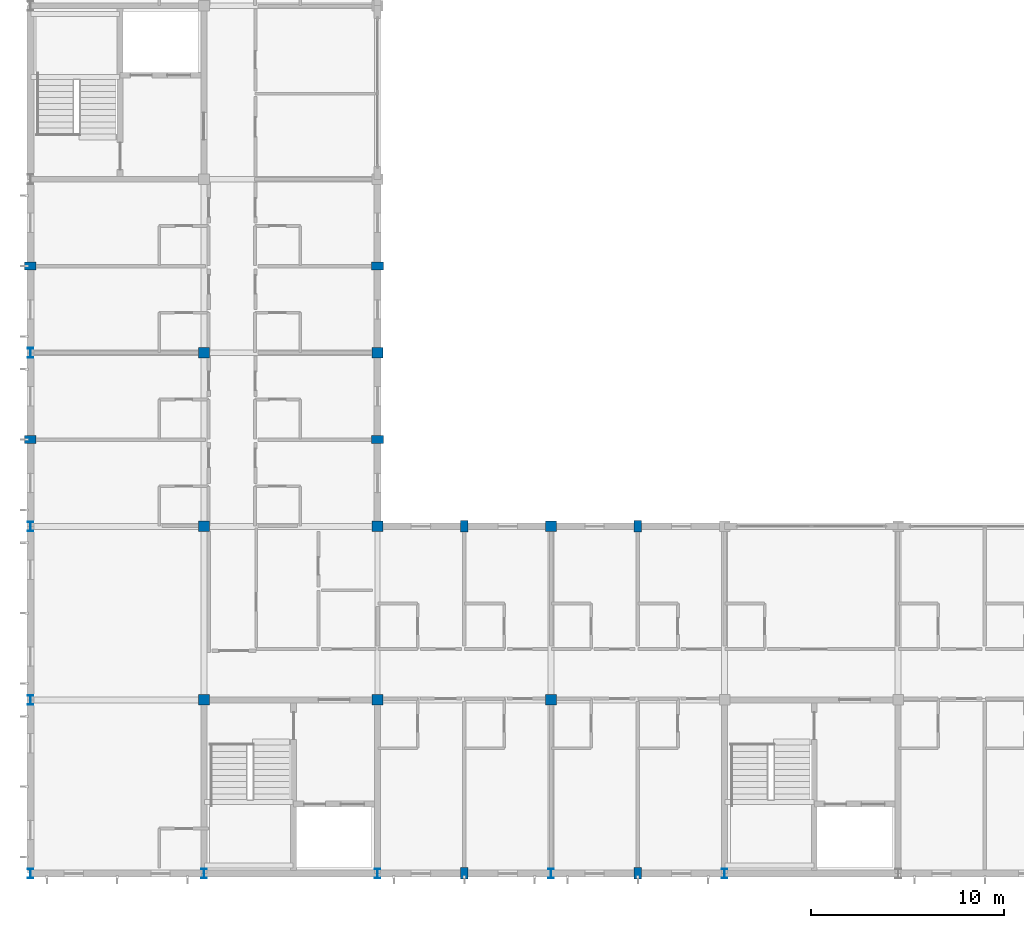
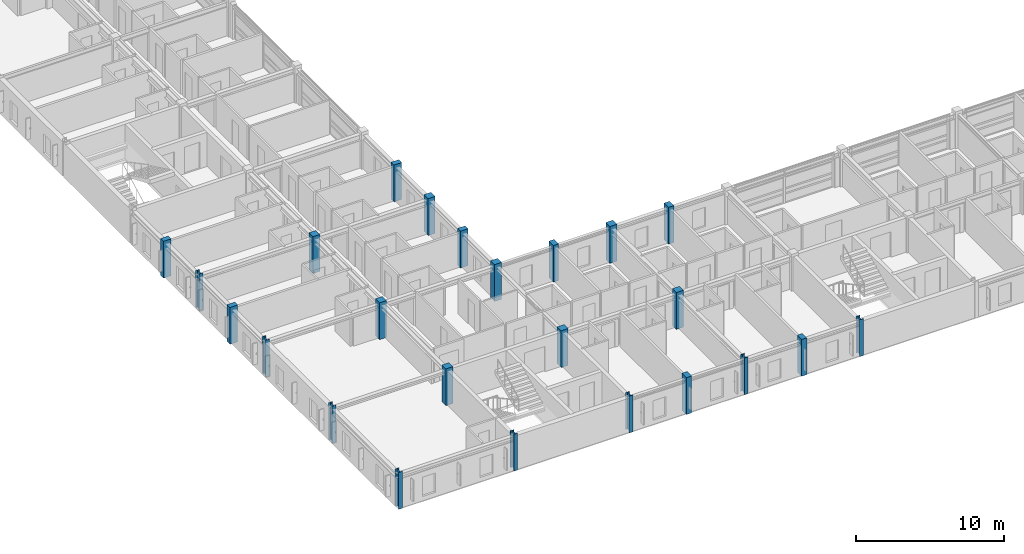
# One storey, part 1 of 30: 24 columns.
"""IFC4 building model written with IfcOpenShell, lengths in metres."""

from ifc_helpers import new_model, si_unit, direction, frame, origin, origin_2d, place, context, subcontext, project, spatial, rectangle, i_section, extrude, material, material_profile, profile_set, type_object, element, save


model = new_model("IFC4")

# Units and contexts
model_context = context("Model", 3, precision=1e-05, world=origin(), true_north=direction((0.0, 1.0)))
body_context = subcontext(model_context, "Body", "Model", "MODEL_VIEW")
ifc_project = project(units=[si_unit("LENGTHUNIT", "METRE"), si_unit("AREAUNIT", "SQUARE_METRE"), si_unit("VOLUMEUNIT", "CUBIC_METRE"), si_unit("PLANEANGLEUNIT", "RADIAN"), si_unit("MASSUNIT", "GRAM", prefix="KILO")], contexts=[model_context])

# Site, building, storey
site_placement = place(None, origin())
site = spatial("IfcSite", under=ifc_project, at=site_placement, CompositionType="ELEMENT")
building_placement = place(site_placement, origin())
building = spatial("IfcBuilding", under=site, at=building_placement, Name="Palais des Congres Ocreval", CompositionType="ELEMENT")
storey_placement = place(building_placement, frame((0.0, 0.0, 14.56005859375)))
storey = spatial("IfcBuildingStorey", under=building, at=storey_placement, Name="L04", CompositionType="ELEMENT", Elevation=14.56005859375)

# Columns
ifc_material_1 = material(Name="Steel S355", Category="steel")
ifc_material_profile_1 = material_profile(ifc_material_1, i_section(OverallWidth=0.300048828125, OverallDepth=0.5, WebThickness=0.014404296875, FlangeThickness=0.028076171875, at=origin_2d()), Name="HEB 500")
ifc_profile_set_1 = profile_set([ifc_material_profile_1], Name="Steel S355")
column_type_1 = type_object("IfcColumnType", Name="Column HEB 500 Steel S355", PredefinedType="COLUMN", material=ifc_profile_set_1)
for number, where, z_axis, x_axis, name in (
    (1, (0.0, 0.0, 0.0), (0.0, 0.0, 1.0), (1.0, 0.0, 0.0), "Column C08 L04"),
    (2, (0.0, 9.0, 0.0), (0.0, 0.0, 1.0), (1.0, 0.0, 0.0), "Column C08 L04"),
    (3, (0.0, 18.0, 0.0), (0.0, 0.0, 1.0), (1.0, 0.0, 0.0), "Column C08 L04"),
    (4, (0.0, 27.0, 0.0), (0.0, 0.0, 1.0), (1.0, 0.0, 0.0), "Column C08 L04"),
    (5, (9.0, 0.0, 0.0), (0.0, 0.0, 1.0), (1.0, 0.0, 0.0), "Column C08 L04"),
    (6, (18.0, 0.0, 0.0), (0.0, 0.0, 1.0), (1.0, 0.0, 0.0), "Column C08 L04"),
    (7, (27.0, 0.0, 0.0), (0.0, 0.0, 1.0), (1.0, 0.0, 0.0), "Column C08 L04"),
    (8, (36.0, 0.0, 0.0), (0.0, 0.0, 1.0), (1.0, 0.0, 0.0), "Column C08 L04"),
):
    element("IfcColumn", number, at=place(storey_placement, frame(where, z_axis=z_axis, x_axis=x_axis)), inside=storey, type_object=column_type_1, Name=name, PredefinedType="COLUMN", context=body_context, shape_type="SweptSolid", body=[
        extrude(i_section(OverallWidth=0.300048828125, OverallDepth=0.5, WebThickness=0.014404296875, FlangeThickness=0.028076171875, at=origin_2d()), origin(), (0.0, 0.0, 1.0), 3.0400390625),
    ])
ifc_material_2 = material(Name="Concrete C40/50", Category="concrete")
ifc_material_profile_2 = material_profile(ifc_material_2, rectangle(XDim=0.550048828125, YDim=0.550048828125, at=origin_2d()), Name="RC 550x550")
ifc_profile_set_2 = profile_set([ifc_material_profile_2], Name="Concrete C40/50")
column_type_2 = type_object("IfcColumnType", Name="Column RC 550x550 Concrete C40/50", PredefinedType="COLUMN", material=ifc_profile_set_2)
for number, where, z_axis, x_axis, name in (
    (9, (9.0, 9.0, 0.0), (0.0, 0.0, 1.0), (1.0, 0.0, 0.0), "Column C24 L04"),
    (10, (9.0, 18.0, 0.0), (0.0, 0.0, 1.0), (1.0, 0.0, 0.0), "Column C24 L04"),
    (11, (9.0, 27.0, 0.0), (0.0, 0.0, 1.0), (1.0, 0.0, 0.0), "Column C24 L04"),
    (12, (18.0, 9.0, 0.0), (0.0, 0.0, 1.0), (1.0, 0.0, 0.0), "Column C24 L04"),
    (13, (18.0, 18.0, 0.0), (0.0, 0.0, 1.0), (1.0, 0.0, 0.0), "Column C24 L04"),
    (14, (18.0, 27.0, 0.0), (0.0, 0.0, 1.0), (1.0, 0.0, 0.0), "Column C24 L04"),
    (15, (27.0, 9.0, 0.0), (0.0, 0.0, 1.0), (1.0, 0.0, 0.0), "Column C24 L04"),
    (16, (27.0, 18.0, 0.0), (0.0, 0.0, 1.0), (1.0, 0.0, 0.0), "Column C24 L04"),
):
    element("IfcColumn", number, at=place(storey_placement, frame(where, z_axis=z_axis, x_axis=x_axis)), inside=storey, type_object=column_type_2, Name=name, PredefinedType="COLUMN", context=body_context, shape_type="SweptSolid", body=[
        extrude(rectangle(XDim=0.550048828125, YDim=0.550048828125, at=origin_2d()), origin(), (0.0, 0.0, 1.0), 3.0400390625),
    ])
ifc_material_profile_3 = material_profile(ifc_material_2, rectangle(XDim=0.39990234375, YDim=0.60009765625, at=origin_2d()), Name="RC 400x600")
ifc_profile_set_3 = profile_set([ifc_material_profile_3], Name="Concrete C40/50")
column_type_3 = type_object("IfcColumnType", Name="Pilaster RC 400x600 Concrete C40/50", PredefinedType="PILASTER", material=ifc_profile_set_3)
for number, where, z_axis, x_axis, name in (
    (17, (22.5, 0.0, 0.0), (0.0, 0.0, 1.0), (1.0, 0.0, 0.0), "Perimeter Pilaster PL02 L04"),
    (18, (31.5, 0.0, 0.0), (0.0, 0.0, 1.0), (1.0, 0.0, 0.0), "Perimeter Pilaster PL02 L04"),
    (19, (22.5, 18.0, 0.0), (0.0, 0.0, 1.0), (1.0, 0.0, 0.0), "Perimeter Pilaster PL02 L04"),
    (20, (31.5, 18.0, 0.0), (0.0, 0.0, 1.0), (1.0, 0.0, 0.0), "Perimeter Pilaster PL02 L04"),
    (21, (0.0, 22.5, 0.0), (0.0, 0.0, 1.0), (0.0, 1.0, 0.0), "Perimeter Pilaster PL02 L04"),
    (22, (0.0, 31.5, 0.0), (0.0, 0.0, 1.0), (0.0, 1.0, 0.0), "Perimeter Pilaster PL02 L04"),
    (23, (18.0, 22.5, 0.0), (0.0, 0.0, 1.0), (0.0, 1.0, 0.0), "Perimeter Pilaster PL02 L04"),
    (24, (18.0, 31.5, 0.0), (0.0, 0.0, 1.0), (0.0, 1.0, 0.0), "Perimeter Pilaster PL02 L04"),
):
    element("IfcColumn", number, at=place(storey_placement, frame(where, z_axis=z_axis, x_axis=x_axis)), inside=storey, type_object=column_type_3, Name=name, PredefinedType="PILASTER", context=body_context, shape_type="SweptSolid", body=[
        extrude(rectangle(XDim=0.39990234375, YDim=0.60009765625, at=origin_2d()), origin(), (0.0, 0.0, 1.0), 3.0400390625),
    ])

save(model, "model.ifc")
